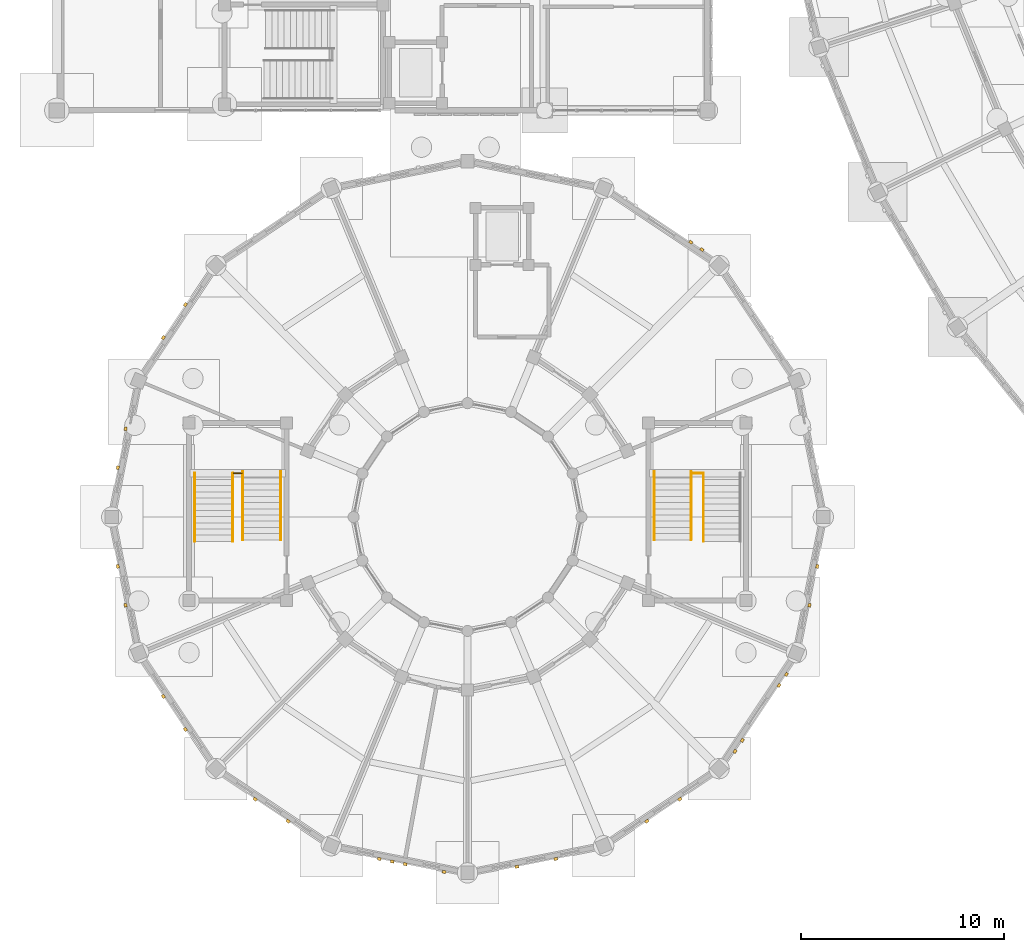
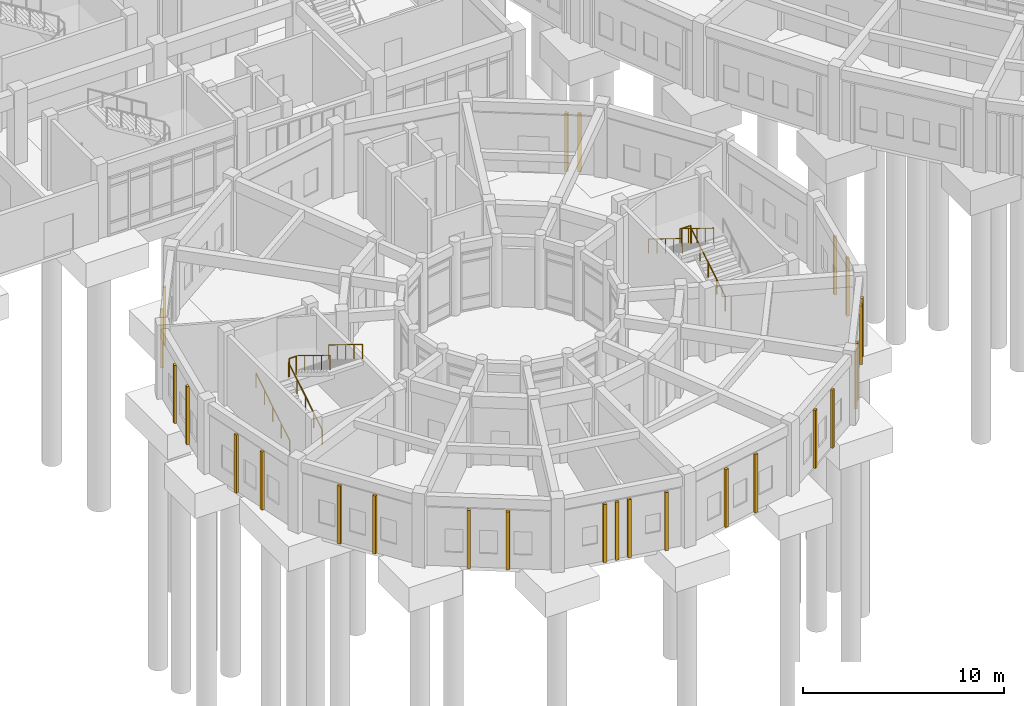
# One storey, part 139 of 153: 26 coverings, 9 railings.
"""IFC4 building model written with IfcOpenShell, lengths in metres."""

from ifc_helpers import new_model, si_unit, direction, frame, origin, origin_2d, place, context, subcontext, project, spatial, rectangle, circle, extrude, material, layer, layer_set, type_object, element, save


model = new_model("IFC4")

# Units and contexts
model_context = context("Model", 3, precision=1e-05, world=origin(), true_north=direction((0.0, 1.0)))
body_context = subcontext(model_context, "Body", "Model", "MODEL_VIEW")
ifc_project = project(units=[si_unit("LENGTHUNIT", "METRE"), si_unit("AREAUNIT", "SQUARE_METRE"), si_unit("VOLUMEUNIT", "CUBIC_METRE"), si_unit("PLANEANGLEUNIT", "RADIAN"), si_unit("MASSUNIT", "GRAM", prefix="KILO")], contexts=[model_context])

# Site, building, storey
site_placement = place(None, origin())
site = spatial("IfcSite", under=ifc_project, at=site_placement, CompositionType="ELEMENT")
building_placement = place(site_placement, origin())
building = spatial("IfcBuilding", under=site, at=building_placement, Name="Celadon Cloister-Ring School", CompositionType="ELEMENT")
storey_placement = place(building_placement, origin())
storey = spatial("IfcBuildingStorey", under=building, at=storey_placement, Name="L00", CompositionType="ELEMENT", Elevation=0.0)

# Coverings
ifc_material_1 = material(Name="Perforated terracotta clay brick masonry", Category="masonry")
ifc_layer = layer(ifc_material_1, 0.139892578125)
ifc_layer_set = layer_set([ifc_layer], Name="Perforated terracotta clay brick masonry")
covering_type = type_object("IfcCoveringType", Name="CV-SC1", PredefinedType="CLADDING", material=ifc_layer_set)
for number, where, z_axis, x_axis, name in (
    (1, (31.18505859375, 33.514892578125, 0.0), (0.0, 0.0, 1.0), (0.831392031959, -0.555686322663, 0.0), "Brick Screen Rib 0574"),
    (2, (31.72509765625, 33.154052734375, 0.0), (0.0, 0.0, 1.0), (0.831392031959, -0.555686322663, 0.0), "Brick Screen Rib 0575"),
    (3, (5.239990234375, 28.822998046875, 0.0), (0.0, 0.0, 1.0), (0.555686322663, 0.831392031959, 0.0), "Brick Screen Rib 0582"),
    (4, (6.323974609375, 30.444091796875, 0.0), (0.0, 0.0, 1.0), (0.555686322663, 0.831392031959, 0.0), "Brick Screen Rib 0583"),
    (5, (3.001953125, 22.427001953125, 0.0), (0.0, 0.0, 1.0), (0.195141675546, 0.980775064153, 0.0), "Brick Screen Rib 0584"),
    (6, (3.383056640625, 24.339111328125, 0.0), (0.0, 0.0, 1.0), (0.195141675546, 0.980775064153, 0.0), "Brick Screen Rib 0585"),
    (7, (3.383056640625, 15.660888671875, 0.0), (0.0, 0.0, 1.0), (-0.195141675546, 0.980775064153, 0.0), "Brick Screen Rib 0586"),
    (8, (3.001953125, 17.572998046875, 0.0), (0.0, 0.0, 1.0), (-0.195141675546, 0.980775064153, 0.0), "Brick Screen Rib 0587"),
    (9, (6.323974609375, 9.555908203125, 0.0), (0.0, 0.0, 1.0), (-0.555686322663, 0.831392031959, 0.0), "Brick Screen Rib 0588"),
    (10, (5.239990234375, 11.177001953125, 0.0), (0.0, 0.0, 1.0), (-0.555686322663, 0.831392031959, 0.0), "Brick Screen Rib 0589"),
    (11, (11.376953125, 5.0400390625, 0.0), (0.0, 0.0, 1.0), (-0.831392031959, 0.555686322663, 0.0), "Brick Screen Rib 0590"),
    (12, (9.756103515625, 6.1240234375, 0.0), (0.0, 0.0, 1.0), (-0.831392031959, 0.555686322663, 0.0), "Brick Screen Rib 0591"),
    (13, (19.048095703125, 2.548095703125, 0.0), (0.0, 0.0, 1.0), (-0.980775064153, 0.195141675546, 0.0), "Brick Screen Rib 0592"),
    (14, (17.135986328125, 2.928955078125, 0.0), (0.0, 0.0, 1.0), (-0.980775064153, 0.195141675546, 0.0), "Brick Screen Rib 0593"),
    (15, (16.498046875, 3.055908203125, 0.0), (0.0, 0.0, 1.0), (-0.980775064153, 0.195141675546, 0.0), "Brick Screen Rib 0594"),
    (16, (15.861083984375, 3.18310546875, 0.0), (0.0, 0.0, 1.0), (-0.980775064153, 0.195141675546, 0.0), "Brick Screen Rib 0595"),
    (17, (24.5390625, 3.18310546875, 0.0), (0.0, 0.0, 1.0), (-0.980775064153, -0.195141675546, 0.0), "Brick Screen Rib 0596"),
    (18, (22.626953125, 2.802001953125, 0.0), (0.0, 0.0, 1.0), (-0.980775064153, -0.195141675546, 0.0), "Brick Screen Rib 0597"),
    (19, (30.64404296875, 6.1240234375, 0.0), (0.0, 0.0, 1.0), (-0.831392031959, -0.555686322663, 0.0), "Brick Screen Rib 0598"),
    (20, (29.02294921875, 5.0400390625, 0.0), (0.0, 0.0, 1.0), (-0.831392031959, -0.555686322663, 0.0), "Brick Screen Rib 0599"),
    (21, (35.882080078125, 12.258056640625, 0.0), (0.0, 0.0, 1.0), (-0.555686322663, -0.831392031959, 0.0), "Brick Screen Rib 0600"),
    (22, (35.52099609375, 11.717041015625, 0.0), (0.0, 0.0, 1.0), (-0.555686322663, -0.831392031959, 0.0), "Brick Screen Rib 0601"),
    (23, (33.715087890625, 9.014892578125, 0.0), (0.0, 0.0, 1.0), (-0.555686322663, -0.831392031959, 0.0), "Brick Screen Rib 0602"),
    (24, (33.35400390625, 8.47509765625, 0.0), (0.0, 0.0, 1.0), (-0.555686322663, -0.831392031959, 0.0), "Brick Screen Rib 0603"),
    (25, (37.39794921875, 17.572998046875, 0.0), (0.0, 0.0, 1.0), (-0.195141675546, -0.980775064153, 0.0), "Brick Screen Rib 0604"),
    (26, (37.01708984375, 15.660888671875, 0.0), (0.0, 0.0, 1.0), (-0.195141675546, -0.980775064153, 0.0), "Brick Screen Rib 0605"),
):
    element("IfcCovering", number, at=place(storey_placement, frame(where, z_axis=z_axis, x_axis=x_axis)), inside=storey, type_object=covering_type, Name=name, PredefinedType="CLADDING", context=body_context, shape_type="SweptSolid", body=[
        extrude(rectangle(XDim=0.179931640625, YDim=0.139892578125, at=origin_2d()), origin(), (0.0, 0.0, 1.0), 3.530029296875),
    ])

# Railings
ifc_material_2 = material(Name="Structural steel S355JR", Category="steel")
railing_type_1 = type_object("IfcRailingType", Name="RL-BL2", PredefinedType="BALUSTRADE", material=ifc_material_2)
railing_1_placement = place(storey_placement, frame((8.699951171875, 22.155029296875, 2.25)))
element("IfcRailing", 27, at=railing_1_placement, inside=storey, type_object=railing_type_1, Name="Interior Guard 0075", PredefinedType="BALUSTRADE", context=body_context, shape_type="SweptSolid", body=[
    extrude(circle(Radius=0.02392578125, at=origin_2d()), frame((0.0, 0.0, 1.09619140625), z_axis=(1.0, 0.0, 0.0), x_axis=(0.0, 1.0, 0.0)), (0.0, 0.0, 1.0), 0.400146484375),
    extrude(circle(Radius=0.02099609375, at=origin_2d()), origin(), (0.0, 0.0, 1.0), 1.072021484375),
    extrude(circle(Radius=0.02099609375, at=origin_2d()), frame((0.400146484375, 0.0, 0.0)), (0.0, 0.0, 1.0), 1.072021484375),
])
railing_2_placement = place(storey_placement, frame((31.239990234375, 22.155029296875, 2.25)))
element("IfcRailing", 28, at=railing_2_placement, inside=storey, type_object=railing_type_1, Name="Interior Guard 0096", PredefinedType="BALUSTRADE", context=body_context, shape_type="SweptSolid", body=[
    extrude(circle(Radius=0.02392578125, at=origin_2d()), frame((0.0, 0.0, 1.09619140625), z_axis=(1.0, 0.0, 0.0), x_axis=(0.0, 1.0, 0.0)), (0.0, 0.0, 1.0), 0.52001953125),
    extrude(circle(Radius=0.02099609375, at=origin_2d()), origin(), (0.0, 0.0, 1.0), 1.072021484375),
    extrude(circle(Radius=0.02099609375, at=origin_2d()), frame((0.52001953125, 0.0, 0.0)), (0.0, 0.0, 1.0), 1.072021484375),
])
ifc_material_3 = material(Name="Structural steel S355JR", Category="steel")
railing_type_2 = type_object("IfcRailingType", Name="RL-HR1", PredefinedType="HANDRAIL", material=ifc_material_3)
for number, where, name in (
    (29, (8.655029296875, 18.800048828125, 0.18798828125), "Stair Handrail 0071"),
    (30, (6.784912109375, 18.800048828125, 0.18798828125), "Stair Handrail 0072"),
):
    element("IfcRailing", number, at=place(storey_placement, frame(where)), inside=storey, type_object=railing_type_2, Name=name, PredefinedType="HANDRAIL", context=body_context, shape_type="SweptSolid", body=[
        extrude(circle(Radius=0.02099609375, at=origin_2d()), frame((0.0, 0.0, 0.87890625), z_axis=(0.0, 0.85195193322, 0.523619999125), x_axis=(-1.0, 0.0, 0.0)), (0.0, 0.0, 1.0), 3.93798828125),
        extrude(circle(Radius=0.01806640625, at=origin_2d()), origin(), (0.0, 0.0, 1.0), 0.85791015625),
        extrude(circle(Radius=0.01806640625, at=origin_2d()), frame((0.0, 0.8388671875, 0.515625)), (0.0, 0.0, 1.0), 0.85791015625),
        extrude(circle(Radius=0.01806640625, at=origin_2d()), frame((0.0, 1.677490234375, 1.031005859375)), (0.0, 0.0, 1.0), 0.85791015625),
        extrude(circle(Radius=0.01806640625, at=origin_2d()), frame((0.0, 2.51611328125, 1.54638671875)), (0.0, 0.0, 1.0), 0.85791015625),
        extrude(circle(Radius=0.01806640625, at=origin_2d()), frame((0.0, 3.35498046875, 2.06201171875)), (0.0, 0.0, 1.0), 0.85791015625),
    ])
for number, where, name in (
    (31, (9.14501953125, 22.235107421875, 2.43798828125), "Stair Handrail 0073"),
    (32, (11.014892578125, 22.235107421875, 2.43798828125), "Stair Handrail 0074"),
):
    element("IfcRailing", number, at=place(storey_placement, frame(where)), inside=storey, type_object=railing_type_2, Name=name, PredefinedType="HANDRAIL", context=body_context, shape_type="SweptSolid", body=[
        extrude(circle(Radius=0.02099609375, at=origin_2d()), frame((0.0, 0.0, 0.87890625), z_axis=(0.0, -0.851968929864, 0.523592343857), x_axis=(1.0, 0.0, 0.0)), (0.0, 0.0, 1.0), 3.938232421875),
        extrude(circle(Radius=0.01806640625, at=origin_2d()), origin(), (0.0, 0.0, 1.0), 0.85791015625),
        extrude(circle(Radius=0.01806640625, at=origin_2d()), frame((0.0, -0.8388671875, 0.515625)), (0.0, 0.0, 1.0), 0.85791015625),
        extrude(circle(Radius=0.01806640625, at=origin_2d()), frame((0.0, -1.677734375, 1.031005859375)), (0.0, 0.0, 1.0), 0.85791015625),
        extrude(circle(Radius=0.01806640625, at=origin_2d()), frame((0.0, -2.516357421875, 1.54638671875)), (0.0, 0.0, 1.0), 0.85791015625),
        extrude(circle(Radius=0.01806640625, at=origin_2d()), frame((0.0, -3.355224609375, 2.06201171875)), (0.0, 0.0, 1.0), 0.85791015625),
    ])
railing_3_placement = place(storey_placement, frame((31.804931640625, 18.800048828125, 0.18798828125)))
element("IfcRailing", 33, at=railing_3_placement, inside=storey, type_object=railing_type_2, Name="Stair Handrail 0093", PredefinedType="HANDRAIL", context=body_context, shape_type="SweptSolid", body=[
    extrude(circle(Radius=0.02099609375, at=origin_2d()), frame((0.0, 0.0, 0.87890625), z_axis=(0.0, 0.85195193322, 0.523619999125), x_axis=(-1.0, 0.0, 0.0)), (0.0, 0.0, 1.0), 3.93798828125),
    extrude(circle(Radius=0.01806640625, at=origin_2d()), origin(), (0.0, 0.0, 1.0), 0.85791015625),
    extrude(circle(Radius=0.01806640625, at=origin_2d()), frame((0.0, 0.8388671875, 0.515625)), (0.0, 0.0, 1.0), 0.85791015625),
    extrude(circle(Radius=0.01806640625, at=origin_2d()), frame((0.0, 1.677490234375, 1.031005859375)), (0.0, 0.0, 1.0), 0.85791015625),
    extrude(circle(Radius=0.01806640625, at=origin_2d()), frame((0.0, 2.51611328125, 1.54638671875)), (0.0, 0.0, 1.0), 0.85791015625),
    extrude(circle(Radius=0.01806640625, at=origin_2d()), frame((0.0, 3.35498046875, 2.06201171875)), (0.0, 0.0, 1.0), 0.85791015625),
])
for number, where, name in (
    (34, (29.385009765625, 22.235107421875, 2.43798828125), "Stair Handrail 0094"),
    (35, (31.195068359375, 22.235107421875, 2.43798828125), "Stair Handrail 0095"),
):
    element("IfcRailing", number, at=place(storey_placement, frame(where)), inside=storey, type_object=railing_type_2, Name=name, PredefinedType="HANDRAIL", context=body_context, shape_type="SweptSolid", body=[
        extrude(circle(Radius=0.02099609375, at=origin_2d()), frame((0.0, 0.0, 0.87890625), z_axis=(0.0, -0.851968929864, 0.523592343857), x_axis=(1.0, 0.0, 0.0)), (0.0, 0.0, 1.0), 3.938232421875),
        extrude(circle(Radius=0.01806640625, at=origin_2d()), origin(), (0.0, 0.0, 1.0), 0.85791015625),
        extrude(circle(Radius=0.01806640625, at=origin_2d()), frame((0.0, -0.8388671875, 0.515625)), (0.0, 0.0, 1.0), 0.85791015625),
        extrude(circle(Radius=0.01806640625, at=origin_2d()), frame((0.0, -1.677734375, 1.031005859375)), (0.0, 0.0, 1.0), 0.85791015625),
        extrude(circle(Radius=0.01806640625, at=origin_2d()), frame((0.0, -2.516357421875, 1.54638671875)), (0.0, 0.0, 1.0), 0.85791015625),
        extrude(circle(Radius=0.01806640625, at=origin_2d()), frame((0.0, -3.355224609375, 2.06201171875)), (0.0, 0.0, 1.0), 0.85791015625),
    ])

save(model, "model.ifc")
